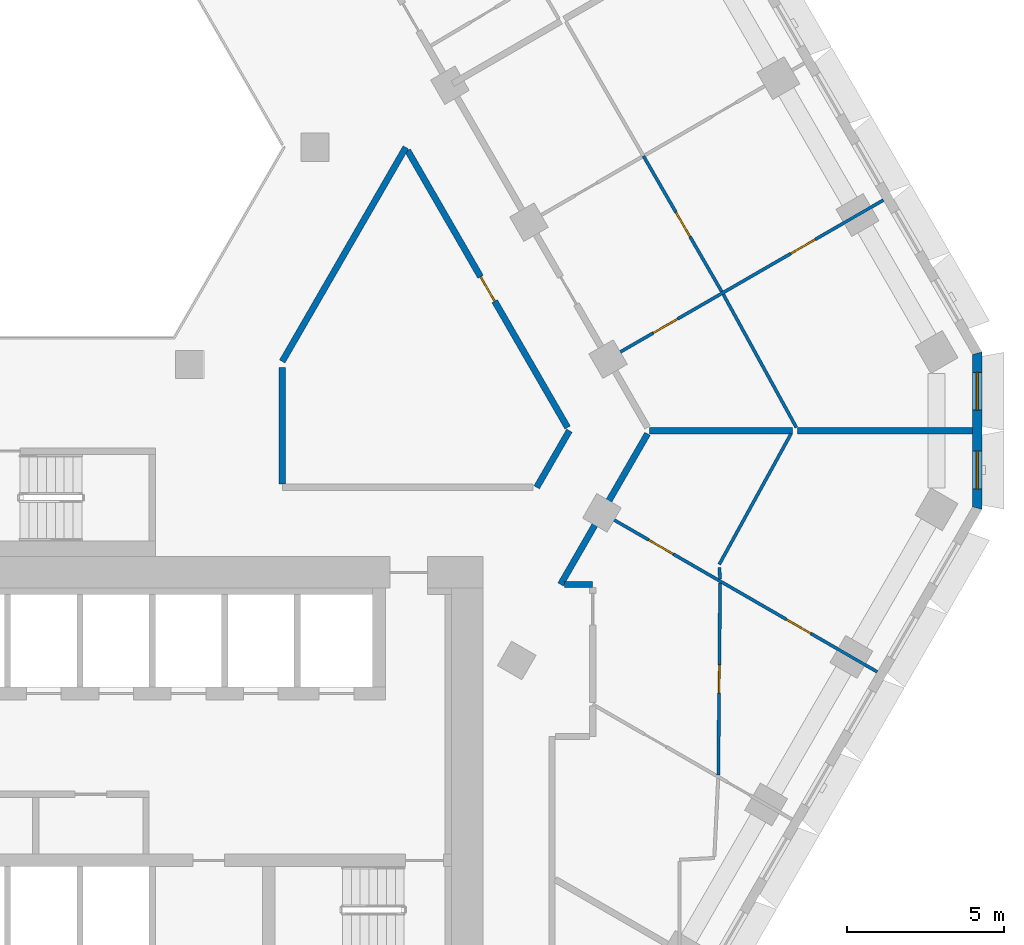
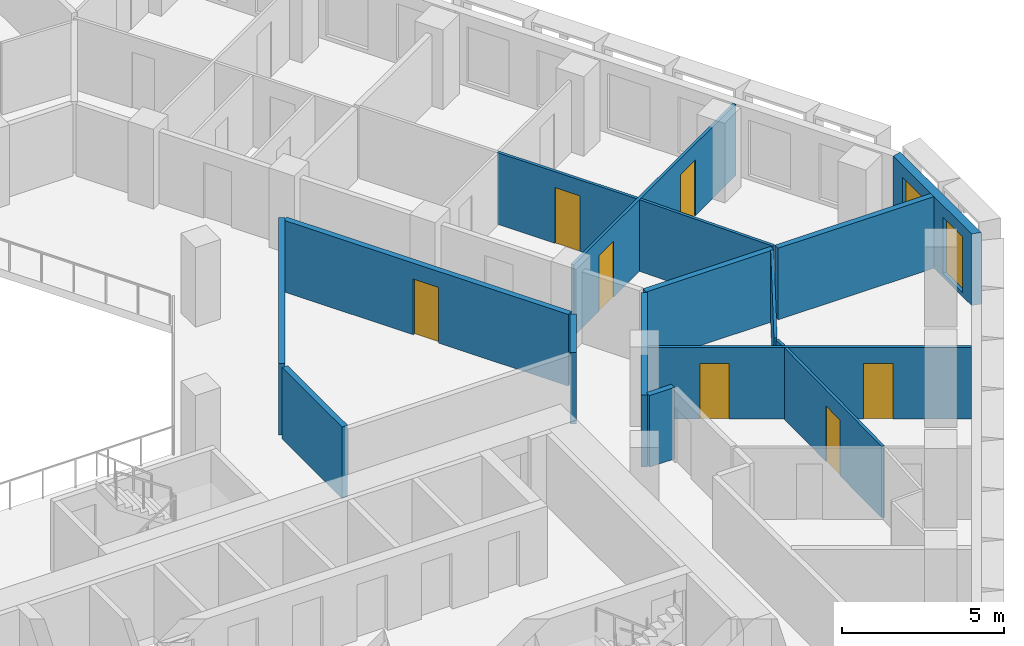
# One storey, part 7 of 18: 16 walls, 7 doors, 2 windows, 9 openings.
"""IFC4 building model written with IfcOpenShell, lengths in metres."""

from ifc_helpers import new_model, si_unit, direction, frame, frame_2d, origin, place, context, subcontext, project, spatial, polyline, rectangle, outline, extrude, material, layer, layer_set, type_object, element, fill, save


model = new_model("IFC4")

# Units and contexts
model_context = context("Model", 3, precision=1e-05, world=origin(), true_north=direction((0.0, 1.0)))
body_context = subcontext(model_context, "Body", "Model", "MODEL_VIEW")
ifc_project = project(units=[si_unit("LENGTHUNIT", "METRE"), si_unit("AREAUNIT", "SQUARE_METRE"), si_unit("VOLUMEUNIT", "CUBIC_METRE"), si_unit("PLANEANGLEUNIT", "RADIAN"), si_unit("MASSUNIT", "GRAM", prefix="KILO")], contexts=[model_context])

# Site, building, storey
site_placement = place(None, origin())
site = spatial("IfcSite", under=ifc_project, at=site_placement, CompositionType="ELEMENT")
building_placement = place(site_placement, origin())
building = spatial("IfcBuilding", under=site, at=building_placement, Name="Beryl Residences", CompositionType="ELEMENT")
storey_placement = place(building_placement, frame((0.0, 0.0, 99.0)))
storey = spatial("IfcBuildingStorey", under=building, at=storey_placement, Name="L30", CompositionType="ELEMENT", Elevation=99.0)

# Wall, openings, windows
ifc_material_1 = material(Name="Composite metal panel with mineral wool insulation")
ifc_layer_1 = layer(ifc_material_1, 0.300048828125)
ifc_layer_set_1 = layer_set([ifc_layer_1], Name="ES1 pale metal composite panel wall 300 mm")
wall_type_1 = type_object("IfcWallType", Name="ES1 pale metal composite panel wall 300 mm", PredefinedType="SOLIDWALL", material=ifc_layer_set_1)
wall_1_placement = place(storey_placement, frame((29.007080078125, -3.5, 0.0), z_axis=(0.0, 0.0, 1.0), x_axis=(0.0, 1.0, 0.0)))
wall_1 = element("IfcWall", 1, at=wall_1_placement, inside=storey, type_object=wall_type_1, Name="ES1 external wall L30 SE-NE", PredefinedType="SOLIDWALL", context=body_context, shape_type="SweptSolid", body=[
    extrude(outline(polyline([(0.0, -0.14990234375), (5.0, -0.14990234375), (4.919677734375, 0.14990234375), (0.080322265625, 0.14990234375), (0.0, -0.14990234375)])), origin(), (0.0, 0.0, 1.0), 2.699951171875),
])
opening_1_placement = place(wall_1_placement, frame((0.64990234375, 0.0, 0.14990234375)))
opening_1 = element("IfcOpeningElement", 2, at=opening_1_placement, cuts=wall_1, Name="Opening W2", PredefinedType="OPENING", context=body_context, shape_type="SweptSolid", body=[
    extrude(rectangle(XDim=1.199951171875, YDim=2.10009765625, at=frame_2d((0.60009765625, 1.050048828125))), frame((0.0, 0.159912109375, 0.0), z_axis=(0.0, -1.0, 0.0), x_axis=(1.0, 0.0, 0.0)), (0.0, 0.0, 1.0), 0.320068359375),
])
opening_2_placement = place(wall_1_placement, frame((3.14990234375, 0.0, 0.14990234375)))
opening_2 = element("IfcOpeningElement", 3, at=opening_2_placement, cuts=wall_1, Name="Opening W2", PredefinedType="OPENING", context=body_context, shape_type="SweptSolid", body=[
    extrude(rectangle(XDim=1.199951171875, YDim=2.10009765625, at=frame_2d((0.60009765625, 1.050048828125))), frame((0.0, 0.159912109375, 0.0), z_axis=(0.0, -1.0, 0.0), x_axis=(1.0, 0.0, 0.0)), (0.0, 0.0, 1.0), 0.320068359375),
])
ifc_material_2 = material(Name="Aluminium and clear glass", Category="aluminium")
window_type = type_object("IfcWindowType", Name="W2 chamfer window 1200 x 2100 mm", PartitioningType="SINGLE_PANEL", PredefinedType="WINDOW", material=ifc_material_2)
window_1_placement = place(opening_1_placement, origin())
window_1 = element("IfcWindow", 4, at=window_1_placement, inside=storey, type_object=window_type, Name="W2 window L30 SE-NE 1", OverallHeight=2.10009765625, OverallWidth=1.199951171875, PartitioningType="SINGLE_PANEL", PredefinedType="WINDOW", context=body_context, shape_type="SweptSolid", body=[
    extrude(rectangle(XDim=1.199951171875, YDim=2.10009765625, at=frame_2d((0.60009765625, 1.050048828125))), frame((0.0, 0.030029296875, 0.0), z_axis=(0.0, -1.0, 0.0), x_axis=(1.0, 0.0, 0.0)), (0.0, 0.0, 1.0), 0.06005859375),
])
fill(opening_1, window_1)
window_2_placement = place(opening_2_placement, origin())
window_2 = element("IfcWindow", 5, at=window_2_placement, inside=storey, type_object=window_type, Name="W2 window L30 SE-NE 2", OverallHeight=2.10009765625, OverallWidth=1.199951171875, PartitioningType="SINGLE_PANEL", PredefinedType="WINDOW", context=body_context, shape_type="SweptSolid", body=[
    extrude(rectangle(XDim=1.199951171875, YDim=2.10009765625, at=frame_2d((0.60009765625, 1.050048828125))), frame((0.0, 0.030029296875, 0.0), z_axis=(0.0, -1.0, 0.0), x_axis=(1.0, 0.0, 0.0)), (0.0, 0.0, 1.0), 0.06005859375),
])
fill(opening_2, window_2)

# Walls
ifc_material_3 = material(Name="Gypsum board partition on steel studs", Category="steel")
ifc_layer_2 = layer(ifc_material_3, 0.10009765625)
ifc_layer_set_2 = layer_set([ifc_layer_2], Name="PT1 partition 100 mm gypsum board on steel studs")
wall_type_2 = type_object("IfcWallType", Name="PT1 partition 100 mm gypsum board on steel studs", PredefinedType="PARTITIONING", material=ifc_layer_set_2)
wall_2_placement = place(storey_placement, frame((20.93896484375, 3.3310546875, 0.0), z_axis=(0.0, 0.0, 1.0), x_axis=(0.481207738216, -0.876606589458, 0.0)))
element("IfcWall", 6, at=wall_2_placement, inside=storey, type_object=wall_type_2, Name="Wall PT1 L30 005", PredefinedType="PARTITIONING", context=body_context, shape_type="SweptSolid", body=[
    extrude(rectangle(XDim=4.825439453125, YDim=0.10009765625, at=frame_2d((2.41259765625, 0.0))), origin(), (0.0, 0.0, 1.0), 2.699951171875),
])
wall_3_placement = place(storey_placement, frame((20.81591796875, -5.343017578125, 0.0), z_axis=(0.0, 0.0, 1.0), x_axis=(0.05045379463, -0.99872639627, 0.0)))
element("IfcWall", 7, at=wall_3_placement, inside=storey, type_object=wall_type_2, Name="Wall PT1 L30 008", PredefinedType="PARTITIONING", context=body_context, shape_type="SweptSolid", body=[
    extrude(rectangle(XDim=0.37744140625, YDim=0.10009765625, at=frame_2d((0.188720703125, 0.0))), origin(), (0.0, 0.0, 1.0), 2.699951171875),
])

# Wall, openings, doors
wall_4_placement = place(storey_placement, frame((17.1689453125, -3.662109375, 0.0), z_axis=(0.0, 0.0, 1.0), x_axis=(0.866047370643, -0.499961950354, 0.0)))
wall_4 = element("IfcWall", 8, at=wall_4_placement, inside=storey, type_object=wall_type_2, Name="Wall PT1 L30 023", PredefinedType="PARTITIONING", context=body_context, shape_type="SweptSolid", body=[
    extrude(rectangle(XDim=10.000732421875, YDim=0.10009765625, at=frame_2d((5.00048828125, 0.0))), origin(), (0.0, 0.0, 1.0), 2.699951171875),
])
opening_3_placement = place(wall_4_placement, frame((1.617919921875, 0.0, 0.0)))
opening_3 = element("IfcOpeningElement", 9, at=opening_3_placement, cuts=wall_4, Name="Opening D0718", PredefinedType="OPENING", context=body_context, shape_type="SweptSolid", body=[
    extrude(rectangle(XDim=0.89990234375, YDim=2.10009765625, at=frame_2d((0.449951171875, 1.050048828125))), frame((0.0, 0.06005859375, 0.0), z_axis=(0.0, -1.0, 0.0), x_axis=(1.0, 0.0, 0.0)), (0.0, 0.0, 1.0), 0.1201171875),
])
opening_4_placement = place(wall_4_placement, frame((6.66796875, 0.0, 0.0)))
opening_4 = element("IfcOpeningElement", 10, at=opening_4_placement, cuts=wall_4, Name="Opening D0719", PredefinedType="OPENING", context=body_context, shape_type="SweptSolid", body=[
    extrude(rectangle(XDim=0.89990234375, YDim=2.10009765625, at=frame_2d((0.449951171875, 1.050048828125))), frame((0.0, 0.06005859375, 0.0), z_axis=(0.0, -1.0, 0.0), x_axis=(1.0, 0.0, 0.0)), (0.0, 0.0, 1.0), 0.1201171875),
])
ifc_material_4 = material(Name="Timber door leaf", Category="wood")
door_type = type_object("IfcDoorType", Name="D2 room door 900 x 2100 mm", OperationType="SINGLE_SWING_LEFT", PredefinedType="DOOR", material=ifc_material_4)
door_1_placement = place(opening_3_placement, origin())
door_1 = element("IfcDoor", 11, at=door_1_placement, inside=storey, type_object=door_type, Name="Door D0718 L30 001", OperationType="SINGLE_SWING_RIGHT", OverallHeight=2.10009765625, OverallWidth=0.89990234375, PredefinedType="DOOR", context=body_context, shape_type="SweptSolid", body=[
    extrude(rectangle(XDim=0.89990234375, YDim=2.10009765625, at=frame_2d((0.449951171875, 1.050048828125))), frame((0.0, 0.02490234375, 0.0), z_axis=(0.0, -1.0, 0.0), x_axis=(1.0, 0.0, 0.0)), (0.0, 0.0, 1.0), 0.050048828125),
])
fill(opening_3, door_1)
door_2_placement = place(opening_4_placement, origin())
door_2 = element("IfcDoor", 12, at=door_2_placement, inside=storey, type_object=door_type, Name="Door D0719 L30 001", OperationType="SINGLE_SWING_LEFT", OverallHeight=2.10009765625, OverallWidth=0.89990234375, PredefinedType="DOOR", context=body_context, shape_type="SweptSolid", body=[
    extrude(rectangle(XDim=0.89990234375, YDim=2.10009765625, at=frame_2d((0.449951171875, 1.050048828125))), frame((0.0, 0.02490234375, 0.0), z_axis=(0.0, -1.0, 0.0), x_axis=(1.0, 0.0, 0.0)), (0.0, 0.0, 1.0), 0.050048828125),
])
fill(opening_4, door_2)

# Wall
wall_5_placement = place(storey_placement, frame((20.81201171875, -5.248046875, 0.0), z_axis=(0.0, 0.0, 1.0), x_axis=(0.481296891345, 0.876557643502, 0.0)))
element("IfcWall", 13, at=wall_5_placement, inside=storey, type_object=wall_type_2, Name="Wall PT1 L30 033", PredefinedType="PARTITIONING", context=body_context, shape_type="SweptSolid", body=[
    extrude(rectangle(XDim=4.733154296875, YDim=0.10009765625, at=frame_2d((2.36669921875, 0.0))), origin(), (0.0, 0.0, 1.0), 2.699951171875),
])

# Wall, opening, door
wall_6_placement = place(storey_placement, frame((20.781005859375, -11.93994140625, 0.0), z_axis=(0.0, 0.0, 1.0), x_axis=(0.009329670416, 0.999956477678, 0.0)))
wall_6 = element("IfcWall", 14, at=wall_6_placement, inside=storey, type_object=wall_type_2, Name="Wall PT1 L30 039", PredefinedType="PARTITIONING", context=body_context, shape_type="SweptSolid", body=[
    extrude(rectangle(XDim=6.09716796875, YDim=0.10009765625, at=frame_2d((3.048583984375, 0.0))), origin(), (0.0, 0.0, 1.0), 2.699951171875),
])
opening_5_placement = place(wall_6_placement, frame((2.60107421875, 0.0, 0.0)))
opening_5 = element("IfcOpeningElement", 15, at=opening_5_placement, cuts=wall_6, Name="Opening D0716", PredefinedType="OPENING", context=body_context, shape_type="SweptSolid", body=[
    extrude(rectangle(XDim=0.89990234375, YDim=2.10009765625, at=frame_2d((0.449951171875, 1.050048828125))), frame((0.0, 0.06005859375, 0.0), z_axis=(0.0, -1.0, 0.0), x_axis=(1.0, 0.0, 0.0)), (0.0, 0.0, 1.0), 0.1201171875),
])
door_3_placement = place(opening_5_placement, origin())
door_3 = element("IfcDoor", 16, at=door_3_placement, inside=storey, type_object=door_type, Name="Door D0716 L30 001", OperationType="SINGLE_SWING_RIGHT", OverallHeight=2.10009765625, OverallWidth=0.89990234375, PredefinedType="DOOR", context=body_context, shape_type="SweptSolid", body=[
    extrude(rectangle(XDim=0.89990234375, YDim=2.10009765625, at=frame_2d((0.449951171875, 1.050048828125))), frame((0.0, 0.02490234375, 0.0), z_axis=(0.0, -1.0, 0.0), x_axis=(1.0, 0.0, 0.0)), (0.0, 0.0, 1.0), 0.050048828125),
])
fill(opening_5, door_3)

# Wall, openings, doors
wall_7_placement = place(storey_placement, frame((17.364990234375, 1.324951171875, 0.0), z_axis=(0.0, 0.0, 1.0), x_axis=(0.866016855193, 0.500014806302, 0.0)))
wall_7 = element("IfcWall", 17, at=wall_7_placement, inside=storey, type_object=wall_type_2, Name="Wall PT1 L30 052", PredefinedType="PARTITIONING", context=body_context, shape_type="SweptSolid", body=[
    extrude(rectangle(XDim=9.999755859375, YDim=0.10009765625, at=frame_2d((5.0, 0.0))), origin(), (0.0, 0.0, 1.0), 2.699951171875),
])
opening_6_placement = place(wall_7_placement, frame((1.550048828125, 0.0, 0.0)))
opening_6 = element("IfcOpeningElement", 18, at=opening_6_placement, cuts=wall_7, Name="Opening D0724", PredefinedType="OPENING", context=body_context, shape_type="SweptSolid", body=[
    extrude(rectangle(XDim=0.89990234375, YDim=2.10009765625, at=frame_2d((0.449951171875, 1.050048828125))), frame((0.0, 0.06005859375, 0.0), z_axis=(0.0, -1.0, 0.0), x_axis=(1.0, 0.0, 0.0)), (0.0, 0.0, 1.0), 0.1201171875),
])
opening_7_placement = place(wall_7_placement, frame((6.60009765625, 0.0, 0.0)))
opening_7 = element("IfcOpeningElement", 19, at=opening_7_placement, cuts=wall_7, Name="Opening D0725", PredefinedType="OPENING", context=body_context, shape_type="SweptSolid", body=[
    extrude(rectangle(XDim=0.89990234375, YDim=2.10009765625, at=frame_2d((0.449951171875, 1.050048828125))), frame((0.0, 0.06005859375, 0.0), z_axis=(0.0, -1.0, 0.0), x_axis=(1.0, 0.0, 0.0)), (0.0, 0.0, 1.0), 0.1201171875),
])
door_4_placement = place(opening_6_placement, origin())
door_4 = element("IfcDoor", 20, at=door_4_placement, inside=storey, type_object=door_type, Name="Door D0724 L30 001", OperationType="SINGLE_SWING_RIGHT", OverallHeight=2.10009765625, OverallWidth=0.89990234375, PredefinedType="DOOR", context=body_context, shape_type="SweptSolid", body=[
    extrude(rectangle(XDim=0.89990234375, YDim=2.10009765625, at=frame_2d((0.449951171875, 1.050048828125))), frame((0.0, 0.02490234375, 0.0), z_axis=(0.0, -1.0, 0.0), x_axis=(1.0, 0.0, 0.0)), (0.0, 0.0, 1.0), 0.050048828125),
])
fill(opening_6, door_4)
door_5_placement = place(opening_7_placement, origin())
door_5 = element("IfcDoor", 21, at=door_5_placement, inside=storey, type_object=door_type, Name="Door D0725 L30 001", OperationType="SINGLE_SWING_LEFT", OverallHeight=2.10009765625, OverallWidth=0.89990234375, PredefinedType="DOOR", context=body_context, shape_type="SweptSolid", body=[
    extrude(rectangle(XDim=0.89990234375, YDim=2.10009765625, at=frame_2d((0.449951171875, 1.050048828125))), frame((0.0, 0.02490234375, 0.0), z_axis=(0.0, -1.0, 0.0), x_axis=(1.0, 0.0, 0.0)), (0.0, 0.0, 1.0), 0.050048828125),
])
fill(opening_7, door_5)

# Wall, opening, door
wall_8_placement = place(storey_placement, frame((18.403076171875, 7.72509765625, 0.0), z_axis=(0.0, 0.0, 1.0), x_axis=(0.500014231302, -0.866017187182, 0.0)))
wall_8 = element("IfcWall", 22, at=wall_8_placement, inside=storey, type_object=wall_type_2, Name="Wall PT1 L30 061", PredefinedType="PARTITIONING", context=body_context, shape_type="SweptSolid", body=[
    extrude(rectangle(XDim=4.973388671875, YDim=0.10009765625, at=frame_2d((2.48681640625, 0.0))), origin(), (0.0, 0.0, 1.0), 2.699951171875),
])
opening_8_placement = place(wall_8_placement, frame((2.06103515625, 0.0, 0.0)))
opening_8 = element("IfcOpeningElement", 23, at=opening_8_placement, cuts=wall_8, Name="Opening D0722", PredefinedType="OPENING", context=body_context, shape_type="SweptSolid", body=[
    extrude(rectangle(XDim=0.89990234375, YDim=2.10009765625, at=frame_2d((0.449951171875, 1.050048828125))), frame((0.0, 0.06005859375, 0.0), z_axis=(0.0, -1.0, 0.0), x_axis=(1.0, 0.0, 0.0)), (0.0, 0.0, 1.0), 0.1201171875),
])
door_6_placement = place(opening_8_placement, origin())
door_6 = element("IfcDoor", 24, at=door_6_placement, inside=storey, type_object=door_type, Name="Door D0722 L30 001", OperationType="SINGLE_SWING_RIGHT", OverallHeight=2.10009765625, OverallWidth=0.89990234375, PredefinedType="DOOR", context=body_context, shape_type="SweptSolid", body=[
    extrude(rectangle(XDim=0.89990234375, YDim=2.10009765625, at=frame_2d((0.449951171875, 1.050048828125))), frame((0.0, 0.02490234375, 0.0), z_axis=(0.0, -1.0, 0.0), x_axis=(1.0, 0.0, 0.0)), (0.0, 0.0, 1.0), 0.050048828125),
])
fill(opening_8, door_6)

# Walls
ifc_material_5 = material(Name="Acoustic double stud gypsum board wall")
ifc_layer_3 = layer(ifc_material_5, 0.199951171875)
ifc_layer_set_3 = layer_set([ifc_layer_3], Name="PT3 party wall 200 mm acoustic double stud")
wall_type_3 = type_object("IfcWallType", Name="PT3 party wall 200 mm acoustic double stud", PredefinedType="PARTITIONING", material=ifc_layer_set_3)
wall_9_placement = place(storey_placement, frame((18.591064453125, -0.9990234375, 0.0), z_axis=(0.0, 0.0, 1.0), x_axis=(1.0, 0.0, 0.0)))
element("IfcWall", 25, at=wall_9_placement, inside=storey, type_object=wall_type_3, Name="Wall PT3 L30 010", PredefinedType="PARTITIONING", context=body_context, shape_type="SweptSolid", body=[
    extrude(rectangle(XDim=4.553955078125, YDim=0.199951171875, at=frame_2d((2.27685546875, 0.0))), origin(), (0.0, 0.0, 1.0), 2.699951171875),
])
wall_10_placement = place(storey_placement, frame((23.2939453125, -0.9990234375, 0.0), z_axis=(0.0, 0.0, 1.0), x_axis=(1.0, 0.0, 0.0)))
element("IfcWall", 26, at=wall_10_placement, inside=storey, type_object=wall_type_3, Name="Wall PT3 L30 011", PredefinedType="PARTITIONING", context=body_context, shape_type="SweptSolid", body=[
    extrude(rectangle(XDim=5.56298828125, YDim=0.199951171875, at=frame_2d((2.781494140625, 0.0))), origin(), (0.0, 0.0, 1.0), 2.699951171875),
])

# Wall, opening, door
ifc_material_6 = material(Name="Double stud gypsum board wall")
ifc_layer_4 = layer(ifc_material_6, 0.199951171875)
ifc_layer_set_4 = layer_set([ifc_layer_4], Name="PT4 corridor wall 200 mm double stud")
wall_type_4 = type_object("IfcWallType", Name="PT4 corridor wall 200 mm double stud", PredefinedType="PARTITIONING", material=ifc_layer_set_4)
wall_11_placement = place(storey_placement, frame((10.9130859375, 7.89892578125, 0.0), z_axis=(0.0, 0.0, 1.0), x_axis=(0.500028940566, -0.866008694296, 0.0)))
wall_11 = element("IfcWall", 27, at=wall_11_placement, inside=storey, type_object=wall_type_4, Name="Wall PT4 L30 006", PredefinedType="PARTITIONING", context=body_context, shape_type="SweptSolid", body=[
    extrude(rectangle(XDim=10.1591796875, YDim=0.199951171875, at=frame_2d((5.07958984375, 0.0))), origin(), (0.0, 0.0, 1.0), 2.699951171875),
])
opening_9_placement = place(wall_11_placement, frame((4.6298828125, 0.0, 0.0)))
opening_9 = element("IfcOpeningElement", 28, at=opening_9_placement, cuts=wall_11, Name="Opening D0760", PredefinedType="OPENING", context=body_context, shape_type="SweptSolid", body=[
    extrude(rectangle(XDim=0.89990234375, YDim=2.10009765625, at=frame_2d((0.449951171875, 1.050048828125))), frame((0.0, 0.10986328125, 0.0), z_axis=(0.0, -1.0, 0.0), x_axis=(1.0, 0.0, 0.0)), (0.0, 0.0, 1.0), 0.219970703125),
])
door_7_placement = place(opening_9_placement, origin())
door_7 = element("IfcDoor", 29, at=door_7_placement, inside=storey, type_object=door_type, Name="Door D0760 L30 001", OperationType="SINGLE_SWING_RIGHT", OverallHeight=2.10009765625, OverallWidth=0.89990234375, PredefinedType="DOOR", context=body_context, shape_type="SweptSolid", body=[
    extrude(rectangle(XDim=0.89990234375, YDim=2.10009765625, at=frame_2d((0.449951171875, 1.050048828125))), frame((0.0, 0.02490234375, 0.0), z_axis=(0.0, -1.0, 0.0), x_axis=(1.0, 0.0, 0.0)), (0.0, 0.0, 1.0), 0.050048828125),
])
fill(opening_9, door_7)

# Walls
wall_12_placement = place(storey_placement, frame((6.927978515625, 1.0, 0.0), z_axis=(0.0, 0.0, 1.0), x_axis=(0.0, -1.0, 0.0)))
element("IfcWall", 30, at=wall_12_placement, inside=storey, type_object=wall_type_4, Name="Wall PT4 L30 010", PredefinedType="PARTITIONING", context=body_context, shape_type="SweptSolid", body=[
    extrude(rectangle(XDim=3.698974609375, YDim=0.199951171875, at=frame_2d((1.849609375, 0.0))), origin(), (0.0, 0.0, 1.0), 2.699951171875),
])
wall_13_placement = place(storey_placement, frame((15.886962890625, -5.885009765625, 0.0), z_axis=(0.0, 0.0, 1.0), x_axis=(1.0, 0.0, 0.0)))
element("IfcWall", 31, at=wall_13_placement, inside=storey, type_object=wall_type_4, Name="Wall PT4 L30 012", PredefinedType="PARTITIONING", context=body_context, shape_type="SweptSolid", body=[
    extrude(rectangle(XDim=0.904052734375, YDim=0.199951171875, at=frame_2d((0.4521484375, 0.0))), origin(), (0.0, 0.0, 1.0), 2.699951171875),
])
wall_14_placement = place(storey_placement, frame((6.927978515625, 1.199951171875, 0.0), z_axis=(0.0, 0.0, 1.0), x_axis=(0.500055327065, 0.865993458332, 0.0)))
element("IfcWall", 32, at=wall_14_placement, inside=storey, type_object=wall_type_4, Name="Wall PT4 L30 023", PredefinedType="PARTITIONING", context=body_context, shape_type="SweptSolid", body=[
    extrude(rectangle(XDim=7.85107421875, YDim=0.199951171875, at=frame_2d((3.925537109375, 0.0))), origin(), (0.0, 0.0, 1.0), 2.699951171875),
])
wall_15_placement = place(storey_placement, frame((15.010986328125, -2.800048828125, 0.0), z_axis=(0.0, 0.0, 1.0), x_axis=(0.499929208183, 0.866066271601, 0.0)))
element("IfcWall", 33, at=wall_15_placement, inside=storey, type_object=wall_type_4, Name="Wall PT4 L30 024", PredefinedType="PARTITIONING", context=body_context, shape_type="SweptSolid", body=[
    extrude(rectangle(XDim=2.078369140625, YDim=0.199951171875, at=frame_2d((1.0390625, 0.0))), origin(), (0.0, 0.0, 1.0), 2.699951171875),
])
wall_16_placement = place(storey_placement, frame((15.77099609375, -5.884033203125, 0.0), z_axis=(0.0, 0.0, 1.0), x_axis=(0.499917542299, 0.866073005526, 0.0)))
element("IfcWall", 34, at=wall_16_placement, inside=storey, type_object=wall_type_4, Name="Wall PT4 L30 025", PredefinedType="PARTITIONING", context=body_context, shape_type="SweptSolid", body=[
    extrude(rectangle(XDim=5.52490234375, YDim=0.199951171875, at=frame_2d((2.762451171875, 0.0))), origin(), (0.0, 0.0, 1.0), 2.699951171875),
])

save(model, "model.ifc")
